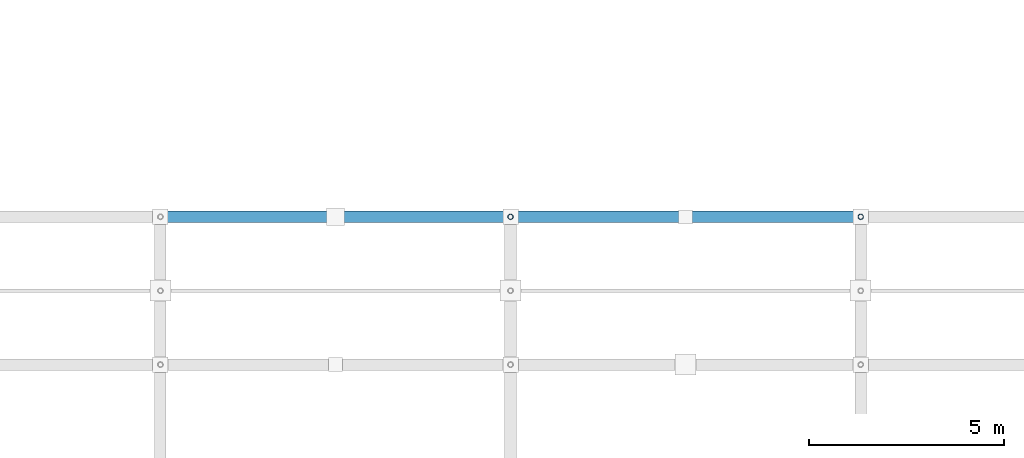
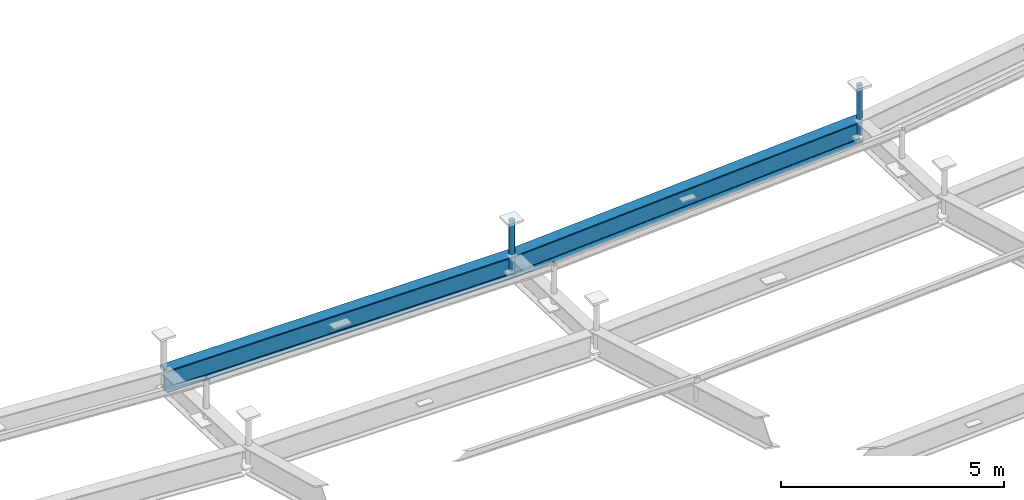
# One storey, part 62 of 80: 2 beams, 2 members.
"""IFC4 building model written with IfcOpenShell, lengths in metres."""

from ifc_helpers import new_model, si_unit, direction, frame, origin, origin_2d, place, context, subcontext, project, spatial, hollow_circle, i_section, extrude, material, material_profile, profile_set, type_object, element, save


model = new_model("IFC4")

# Units and contexts
model_context = context("Model", 3, precision=1e-05, world=origin(), true_north=direction((0.0, 1.0)))
body_context = subcontext(model_context, "Body", "Model", "MODEL_VIEW")
ifc_project = project(units=[si_unit("LENGTHUNIT", "METRE"), si_unit("AREAUNIT", "SQUARE_METRE"), si_unit("VOLUMEUNIT", "CUBIC_METRE"), si_unit("PLANEANGLEUNIT", "RADIAN"), si_unit("MASSUNIT", "GRAM", prefix="KILO")], contexts=[model_context])

# Site, building, storey
site_placement = place(None, origin())
site = spatial("IfcSite", under=ifc_project, at=site_placement, CompositionType="ELEMENT")
building_placement = place(site_placement, origin())
building = spatial("IfcBuilding", under=site, at=building_placement, Name="Barlavento Convention Centre", CompositionType="ELEMENT")
storey_placement = place(building_placement, frame((0.0, 0.0, 29.800048828125)))
storey = spatial("IfcBuildingStorey", under=building, at=storey_placement, Name="RF", CompositionType="ELEMENT", Elevation=29.800048828125)

# Beams
ifc_material = material(Name="Steel S355", Category="steel")
ifc_material_profile_1 = material_profile(ifc_material, i_section(OverallWidth=0.300048828125, OverallDepth=0.60009765625, WebThickness=0.015380859375, FlangeThickness=0.030029296875, FilletRadius=0.027099609375, at=origin_2d()), Name="HEB 600")
ifc_profile_set_1 = profile_set([ifc_material_profile_1], Name="Steel S355")
beam_type = type_object("IfcBeamType", Name="STR-BM-CANT-HEB600", PredefinedType="BEAM", material=ifc_profile_set_1)
beam_1_placement = place(storey_placement, frame((27.0048828125, 57.800048828125, -7.0), z_axis=(1.0, 0.0, 0.0), x_axis=(0.0, 1.0, 0.0)))
element("IfcBeam", 1, at=beam_1_placement, inside=storey, type_object=beam_type, Name="Congress roof truss space frame chord", PredefinedType="BEAM", context=body_context, shape_type="SweptSolid", body=[
    extrude(i_section(OverallWidth=0.300048828125, OverallDepth=0.60009765625, WebThickness=0.015380859375, FlangeThickness=0.030029296875, FilletRadius=0.027099609375, at=origin_2d()), origin(), (0.0, 0.0, 1.0), 8.990234375),
])
beam_2_placement = place(storey_placement, frame((36.0048828125, 57.800048828125, -7.0), z_axis=(0.998176275641, 0.0, 0.060366569787), x_axis=(0.0, 1.0, 0.0)))
element("IfcBeam", 2, at=beam_2_placement, inside=storey, type_object=beam_type, Name="Congress roof truss space frame chord", PredefinedType="BEAM", context=body_context, shape_type="SweptSolid", body=[
    extrude(i_section(OverallWidth=0.300048828125, OverallDepth=0.60009765625, WebThickness=0.015380859375, FlangeThickness=0.030029296875, FilletRadius=0.027099609375, at=origin_2d()), origin(), (0.0, 0.0, 1.0), 9.006591796875),
])

# Members
ifc_material_profile_2 = material_profile(ifc_material, hollow_circle(Radius=0.06982421875, WallThickness=0.008056640625, at=origin_2d()), Name="CHS 139.7x8.0")
ifc_profile_set_2 = profile_set([ifc_material_profile_2], Name="Steel S355")
member_type = type_object("IfcMemberType", Name="STR-MEM-DIAG-CHS139", PredefinedType="BRACE", material=ifc_profile_set_2)
for number, where, z_axis, x_axis, name in (
    (3, (36.0, 57.800048828125, -7.150146484375), (0.0, 0.0, 1.0), (1.0, 0.0, 0.0), "Congress space frame vertical node post TD04"),
    (4, (45.0, 57.800048828125, -6.6064453125), (0.0, 0.0, 1.0), (1.0, 0.0, 0.0), "Congress space frame vertical node post TD04"),
):
    element("IfcMember", number, at=place(storey_placement, frame(where, z_axis=z_axis, x_axis=x_axis)), inside=storey, type_object=member_type, Name=name, PredefinedType="BRACE", context=body_context, shape_type="SweptSolid", body=[
        extrude(hollow_circle(Radius=0.06982421875, WallThickness=0.008056640625, at=origin_2d()), origin(), (0.0, 0.0, 1.0), 1.3701171875),
    ])

save(model, "model.ifc")
